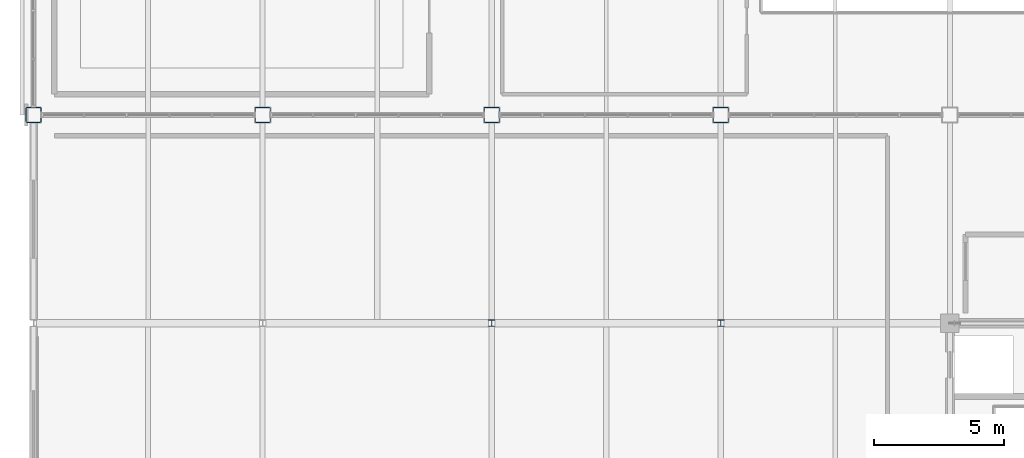
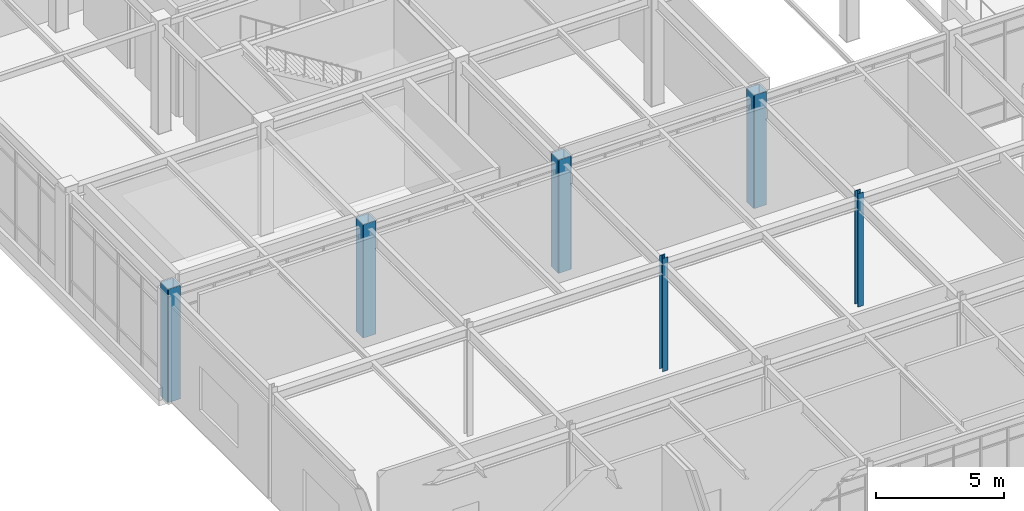
# One storey, part 2 of 184: 6 columns.
"""IFC4 building model written with IfcOpenShell, lengths in metres."""

import ifcopenshell
import ifcopenshell.guid

model = None  # the IFC model being written
_history = None  # IfcOwnerHistory: only IFC2X3 demands one
_inside = {}  # id of a spatial element -> (the spatial element, [elements in it])
_under = {}  # id of a project, library or spatial element -> (it, [spatial elements below it])
_declared = {}  # id of a project -> (the project, [libraries it declares])
_typed = {}  # id of a type object -> (the type object, [elements of that type])
_made_of = {}  # id of a material, layer set ... -> (it, [elements and type objects made of it])


def new_model(schema):
    """Start an empty IFC model of exactly this schema.

    Asked for "IFC4X3", IfcOpenShell would pick the latest addendum, in which some entities
    have other attributes; the version numbers below select the first issue.
    IFC2X3 requires an IfcOwnerHistory on every rooted entity: one is made here for all.
    """
    global model, _history
    if schema == "IFC4X3":
        model = ifcopenshell.file(schema_version=(4, 3, 0, 0))
    else:
        model = ifcopenshell.file(schema=schema)
    _inside.clear()
    _under.clear()
    _declared.clear()
    _typed.clear()
    _made_of.clear()
    _history = None
    if model.schema == "IFC2X3":
        org = make("IfcOrganization", Name="unknown")
        user = make(
            "IfcPersonAndOrganization",
            ThePerson=make("IfcPerson", FamilyName="unknown"),
            TheOrganization=org,
        )
        app = make(
            "IfcApplication",
            ApplicationDeveloper=org,
            Version="unknown",
            ApplicationFullName="unknown",
            ApplicationIdentifier="unknown",
        )
        _history = make(
            "IfcOwnerHistory",
            OwningUser=user,
            OwningApplication=app,
            ChangeAction="ADDED",
            CreationDate=0,
        )
    return model


def make(cls, **values):
    """One entity of the class cls with the attributes given. An attribute that is None is left unset."""
    return model.create_entity(
        cls, **{name: value for name, value in values.items() if value is not None}
    )


def rooted(cls, **values):
    """An entity with a GlobalId (a new one), such as an element, a storey or a relation."""
    return make(cls, GlobalId=ifcopenshell.guid.new(), OwnerHistory=_history, **values)


def si_unit(unit_type, name, prefix=None):
    """IfcSIUnit, for example si_unit("LENGTHUNIT", "METRE", prefix="MILLI")."""
    return make("IfcSIUnit", UnitType=unit_type, Prefix=prefix, Name=name)


def assignment(units):
    """IfcUnitAssignment: the units of a project."""
    return None if units is None else make("IfcUnitAssignment", Units=units)


def point(xyz):
    """IfcCartesianPoint."""
    return None if xyz is None else make("IfcCartesianPoint", Coordinates=xyz)


def direction(xyz):
    """IfcDirection."""
    return None if xyz is None else make("IfcDirection", DirectionRatios=xyz)


def frame(location, z_axis=None, x_axis=None):
    """IfcAxis2Placement3D, a coordinate frame: its origin and axes. An axis left out is left unset."""
    return make(
        "IfcAxis2Placement3D",
        Location=point(location),
        Axis=direction(z_axis),
        RefDirection=direction(x_axis),
    )


def frame_2d(location, x_axis=None):
    """IfcAxis2Placement2D, a coordinate frame in the plane: its origin and x axis."""
    return make(
        "IfcAxis2Placement2D", Location=point(location), RefDirection=direction(x_axis)
    )


def origin():
    """The frame at (0, 0, 0) with its axes left unset."""
    return frame((0.0, 0.0, 0.0))


def origin_2d():
    """The frame at (0, 0) in the plane with its x axis left unset."""
    return frame_2d((0.0, 0.0))


def place(relative_to, where):
    """IfcLocalPlacement: puts the frame where relative to a parent placement (None: the world)."""
    return make(
        "IfcLocalPlacement", PlacementRelTo=relative_to, RelativePlacement=where
    )


def context(
    kind, dimensions, precision=None, world=None, true_north=None, identifier=None
):
    """IfcGeometricRepresentationContext, for example the 3D "Model" context."""
    return make(
        "IfcGeometricRepresentationContext",
        ContextIdentifier=identifier,
        ContextType=kind,
        CoordinateSpaceDimension=dimensions,
        Precision=precision,
        WorldCoordinateSystem=world,
        TrueNorth=true_north,
    )


def subcontext(parent, identifier, kind, view, scale=None):
    """IfcGeometricRepresentationSubContext, for example "Body" below "Model"."""
    return make(
        "IfcGeometricRepresentationSubContext",
        ContextIdentifier=identifier,
        ContextType=kind,
        ParentContext=parent,
        TargetScale=scale,
        TargetView=view,
    )


def project(units=None, contexts=None):
    """IfcProject with its units and contexts."""
    return rooted(
        "IfcProject",
        Name="project",
        RepresentationContexts=contexts,
        UnitsInContext=assignment(units),
    )


def spatial(cls, under=None, at=None, **own):
    """A site, building, storey or space (cls), placed at a placement, below another one or the project."""
    s = rooted(cls, ObjectPlacement=at, **own)
    if under is not None:
        _under.setdefault(under.id(), (under, []))[1].append(s)
    return s


def profile(cls, at=None, kind="AREA", **sizes):
    """A parametric profile (cls). Its sizes go by their IFC names, for example OverallWidth=200.0."""
    return make(cls, ProfileType=kind, Position=at, **sizes)


def hollow_rectangle(**sizes):
    """IfcRectangleHollowProfileDef."""
    return profile("IfcRectangleHollowProfileDef", **sizes)


def i_section(**sizes):
    """IfcIShapeProfileDef."""
    return profile("IfcIShapeProfileDef", **sizes)


def extrude(swept, where, along, depth):
    """IfcExtrudedAreaSolid: the profile swept, set in the frame where, extruded along a direction by depth."""
    return make(
        "IfcExtrudedAreaSolid",
        SweptArea=swept,
        Position=where,
        ExtrudedDirection=direction(along),
        Depth=depth,
    )


def shape(context_of_items, identifier, shape_type, items):
    """IfcShapeRepresentation: the items that make up one representation, for example the "Body"."""
    return make(
        "IfcShapeRepresentation",
        ContextOfItems=context_of_items,
        RepresentationIdentifier=identifier,
        RepresentationType=shape_type,
        Items=items,
    )


def material(Name=None, Category=None):
    """IfcMaterial."""
    return make("IfcMaterial", Name=Name, Category=Category)


def material_profile(
    of_material, cross_section, Name=None, Category=None, Priority=None
):
    """IfcMaterialProfile: a cross section and its material."""
    return make(
        "IfcMaterialProfile",
        Name=Name,
        Material=of_material,
        Profile=cross_section,
        Priority=Priority,
        Category=Category,
    )


def profile_set(profiles, Name=None, composite=None):
    """IfcMaterialProfileSet."""
    return make(
        "IfcMaterialProfileSet",
        Name=Name,
        MaterialProfiles=profiles,
        CompositeProfile=composite,
    )


def made_of(thing, what):
    """Note that an element or type object is made of a material, layer set ...; save() writes the relation."""
    if what is not None:
        _made_of.setdefault(what.id(), (what, []))[1].append(thing)
    return thing


def type_object(cls, material=None, **own):
    """A type object (cls), such as IfcWallType, which elements share."""
    return made_of(rooted(cls, **own), material)


def element(
    cls,
    number,
    at=None,
    inside=None,
    cuts=None,
    type_object=None,
    material=None,
    context=None,
    identifier="Body",
    shape_type=None,
    held_by="IfcProductDefinitionShape",
    body=None,
    shapes=None,
    **own,
):
    """One element of the class cls, such as IfcWall. Its Tag is "e" and its number.

    at: its placement. inside: the storey or other place that contains it. cuts: it is an
    opening in that element (IfcRelVoidsElement). A single representation is given by context,
    identifier, shape_type and body (its items); several are given by shapes. held_by: the class
    of the entity that holds the representations. save() writes the other relations.
    """
    e = rooted(cls, Tag="e%d" % number, ObjectPlacement=at, **own)
    if body is not None:
        shapes = [shape(context, identifier, shape_type, body)]
    if shapes is not None:
        e.Representation = make(held_by, Representations=shapes)
    if inside is not None:
        _inside.setdefault(inside.id(), (inside, []))[1].append(e)
    if cuts is not None:
        rooted(
            "IfcRelVoidsElement", RelatingBuildingElement=cuts, RelatedOpeningElement=e
        )
    if type_object is not None:
        _typed.setdefault(type_object.id(), (type_object, []))[1].append(e)
    return made_of(e, material)


def aggregate(whole, parts):
    """IfcRelAggregates: a whole, such as a stair, and the parts it consists of."""
    return rooted("IfcRelAggregates", RelatingObject=whole, RelatedObjects=parts)


def save(model, path):
    """Write the relations noted so far, then the file.

    IfcRelAggregates (storeys below a building ...), IfcRelContainedInSpatialStructure (elements
    in a storey), IfcRelDefinesByType, IfcRelAssociatesMaterial and IfcRelDeclares: one each for
    every whole, place, type object, material and project.
    """
    for whole, parts in _under.values():
        aggregate(whole, parts)
    for where, things in _inside.values():
        rooted(
            "IfcRelContainedInSpatialStructure",
            RelatedElements=things,
            RelatingStructure=where,
        )
    for kind, things in _typed.values():
        rooted("IfcRelDefinesByType", RelatedObjects=things, RelatingType=kind)
    for what, things in _made_of.values():
        rooted("IfcRelAssociatesMaterial", RelatedObjects=things, RelatingMaterial=what)
    for by, libraries in _declared.values():
        rooted("IfcRelDeclares", RelatingContext=by, RelatedDefinitions=libraries)
    model.write(path)


model = new_model("IFC4")

# Units and contexts
model_context = context("Model", 3, precision=1e-05, world=origin(), true_north=direction((0.0, 1.0)))
body_context = subcontext(model_context, "Body", "Model", "MODEL_VIEW")
ifc_project = project(units=[si_unit("LENGTHUNIT", "METRE"), si_unit("AREAUNIT", "SQUARE_METRE"), si_unit("VOLUMEUNIT", "CUBIC_METRE"), si_unit("PLANEANGLEUNIT", "RADIAN"), si_unit("MASSUNIT", "GRAM", prefix="KILO")], contexts=[model_context])

# Site, building, storey
site_placement = place(None, origin())
site = spatial("IfcSite", under=ifc_project, at=site_placement, CompositionType="ELEMENT")
building_placement = place(site_placement, origin())
building = spatial("IfcBuilding", under=site, at=building_placement, Name="Zhaolan Boulevard Law Courts", CompositionType="ELEMENT")
storey_placement = place(building_placement, frame((0.0, 0.0, 5.39990234375)))
storey = spatial("IfcBuildingStorey", under=building, at=storey_placement, Name="L01", CompositionType="ELEMENT", Elevation=5.39990234375)

# Columns
ifc_material_1 = material(Name="Structural steel Q390B", Category="steel")
ifc_material_profile_1 = material_profile(ifc_material_1, hollow_rectangle(XDim=0.60009765625, YDim=0.60009765625, WallThickness=0.02392578125, InnerFilletRadius=0.02392578125, OuterFilletRadius=0.048095703125, at=origin_2d()), Name="BOX600x600x24")
ifc_profile_set_1 = profile_set([ifc_material_profile_1], Name="Structural steel Q390B")
column_type_1 = type_object("IfcColumnType", Name="COL BOX600", PredefinedType="COLUMN", material=ifc_profile_set_1)
for number, where, z_axis, x_axis, name in (
    (1, (0.0, 30.0, 0.0), (0.0, 0.0, 1.0), (1.0, 0.0, 0.0), "Column C-1E (L01)"),
    (2, (8.800048828125, 30.0, 0.0), (0.0, 0.0, 1.0), (1.0, 0.0, 0.0), "Column C-2E (L01)"),
    (3, (17.60009765625, 30.0, 0.0), (0.0, 0.0, 1.0), (1.0, 0.0, 0.0), "Column C-3E (L01)"),
    (4, (26.39990234375, 30.0, 0.0), (0.0, 0.0, 1.0), (1.0, 0.0, 0.0), "Column C-4E (L01)"),
):
    element("IfcColumn", number, at=place(storey_placement, frame(where, z_axis=z_axis, x_axis=x_axis)), inside=storey, type_object=column_type_1, Name=name, PredefinedType="COLUMN", context=body_context, shape_type="SweptSolid", body=[
        extrude(hollow_rectangle(XDim=0.60009765625, YDim=0.60009765625, WallThickness=0.02392578125, InnerFilletRadius=0.02392578125, OuterFilletRadius=0.048095703125, at=origin_2d()), origin(), (0.0, 0.0, 1.0), 5.400146484375),
    ])
ifc_material_2 = material(Name="Structural steel Q355B", Category="steel")
ifc_material_profile_2 = material_profile(ifc_material_2, i_section(OverallWidth=0.25, OverallDepth=0.25, WebThickness=0.009033203125, FlangeThickness=0.013916015625, FilletRadius=0.01611328125, at=origin_2d()), Name="HW250x250")
ifc_profile_set_2 = profile_set([ifc_material_profile_2], Name="Structural steel Q355B")
column_type_2 = type_object("IfcColumnType", Name="COL HW250", PredefinedType="COLUMN", material=ifc_profile_set_2)
for number, where, z_axis, x_axis, name in (
    (5, (17.60009765625, 22.0, 0.0), (0.0, 0.0, 1.0), (1.0, 0.0, 0.0), "Column C-3D (L01)"),
    (6, (26.39990234375, 22.0, 0.0), (0.0, 0.0, 1.0), (1.0, 0.0, 0.0), "Column C-4D (L01)"),
):
    element("IfcColumn", number, at=place(storey_placement, frame(where, z_axis=z_axis, x_axis=x_axis)), inside=storey, type_object=column_type_2, Name=name, PredefinedType="COLUMN", context=body_context, shape_type="SweptSolid", body=[
        extrude(i_section(OverallWidth=0.25, OverallDepth=0.25, WebThickness=0.009033203125, FlangeThickness=0.013916015625, FilletRadius=0.01611328125, at=origin_2d()), origin(), (0.0, 0.0, 1.0), 5.400146484375),
    ])

save(model, "model.ifc")
